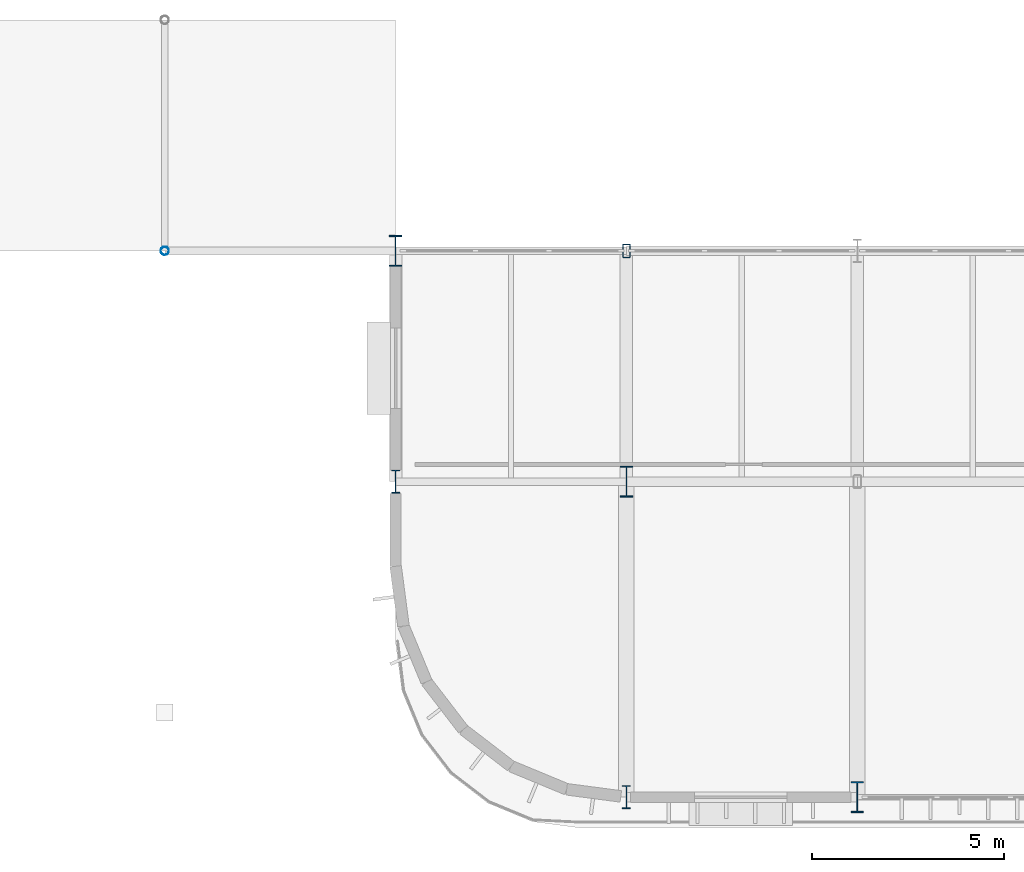
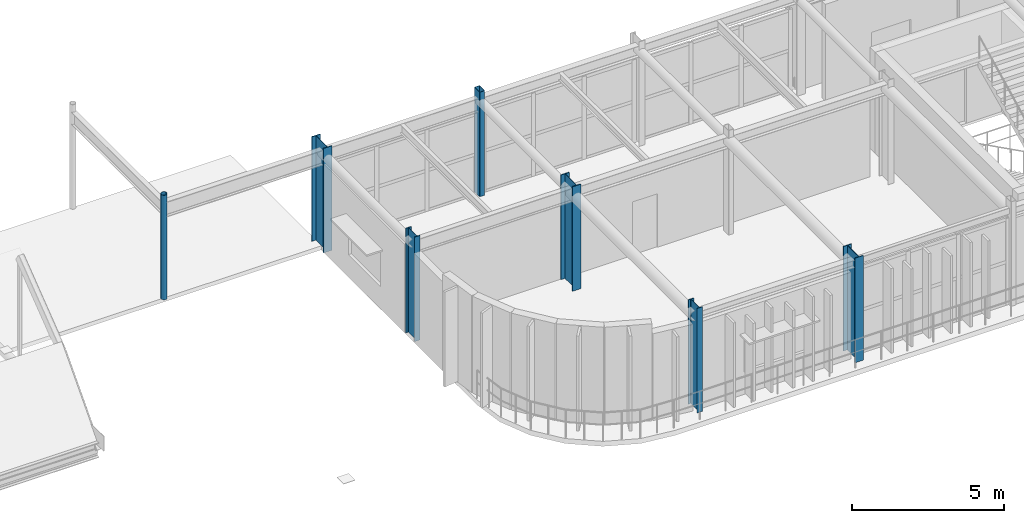
# One storey, part 7 of 116: 7 columns.
"""IFC4 building model written with IfcOpenShell, lengths in metres."""

from ifc_helpers import new_model, si_unit, direction, frame, origin, origin_2d, place, context, subcontext, project, spatial, hollow_rectangle, hollow_circle, i_section, extrude, material, material_profile, profile_set, type_object, element, save


model = new_model("IFC4")

# Units and contexts
model_context = context("Model", 3, precision=1e-05, world=origin(), true_north=direction((0.0, 1.0)))
body_context = subcontext(model_context, "Body", "Model", "MODEL_VIEW")
ifc_project = project(units=[si_unit("LENGTHUNIT", "METRE"), si_unit("AREAUNIT", "SQUARE_METRE"), si_unit("VOLUMEUNIT", "CUBIC_METRE"), si_unit("PLANEANGLEUNIT", "RADIAN"), si_unit("MASSUNIT", "GRAM", prefix="KILO")], contexts=[model_context])

# Site, building, storey
site_placement = place(None, origin())
site = spatial("IfcSite", under=ifc_project, at=site_placement, CompositionType="ELEMENT")
building_placement = place(site_placement, origin())
building = spatial("IfcBuilding", under=site, at=building_placement, Name="Varnakota Square Police Headquarters", CompositionType="ELEMENT")
storey_placement = place(building_placement, frame((0.0, 0.0, 9.300048828125)))
storey = spatial("IfcBuildingStorey", under=building, at=storey_placement, Name="L02", CompositionType="ELEMENT", Elevation=9.300048828125)

# Columns
ifc_material = material(Name="Steel IS 2062 Grade 350", Category="steel")
ifc_material_profile_1 = material_profile(ifc_material, i_section(OverallWidth=0.320068359375, OverallDepth=0.800048828125, WebThickness=0.01611328125, FlangeThickness=0.028076171875, at=origin_2d()), Name="BPG 800x320")
ifc_profile_set_1 = profile_set([ifc_material_profile_1], Name="Steel IS 2062 Grade 350")
column_type_1 = type_object("IfcColumnType", Name="COL-BPG800", PredefinedType="COLUMN", material=ifc_profile_set_1)
for number, where, z_axis, x_axis, name in (
    (1, (108.0, 15.0, 0.0), (0.0, 0.0, 1.0), (1.0, 0.0, 0.0), "Column X1080-Y0150 L02"),
    (2, (114.0, 9.0, 0.0), (0.0, 0.0, 1.0), (1.0, 0.0, 0.0), "Column X1140-Y0090 L02"),
    (3, (120.0, 0.800048828125, 0.0), (0.0, 0.0, 1.0), (1.0, 0.0, 0.0), "Column X1200-Y0008 L02"),
):
    element("IfcColumn", number, at=place(storey_placement, frame(where, z_axis=z_axis, x_axis=x_axis)), inside=storey, type_object=column_type_1, Name=name, PredefinedType="COLUMN", context=body_context, shape_type="SweptSolid", body=[
        extrude(i_section(OverallWidth=0.320068359375, OverallDepth=0.800048828125, WebThickness=0.01611328125, FlangeThickness=0.028076171875, at=origin_2d()), origin(), (0.0, 0.0, 1.0), 4.199951171875),
    ])
ifc_material_profile_2 = material_profile(ifc_material, hollow_circle(Radius=0.109619140625, WallThickness=0.008056640625, at=origin_2d()), Name="CHS 219.1x8.0")
ifc_profile_set_2 = profile_set([ifc_material_profile_2], Name="Steel IS 2062 Grade 350")
column_type_2 = type_object("IfcColumnType", Name="COL-CHS219", PredefinedType="COLUMN", material=ifc_profile_set_2)
column_1_placement = place(storey_placement, frame((102.0, 15.0, 0.0), z_axis=(0.0, 0.0, 1.0), x_axis=(1.0, 0.0, 0.0)))
element("IfcColumn", 4, at=column_1_placement, inside=storey, type_object=column_type_2, Name="Column X1020-Y0150 L02", PredefinedType="COLUMN", context=body_context, shape_type="SweptSolid", body=[
    extrude(hollow_circle(Radius=0.109619140625, WallThickness=0.008056640625, at=origin_2d()), origin(), (0.0, 0.0, 1.0), 4.199951171875),
])
ifc_material_profile_3 = material_profile(ifc_material, i_section(OverallWidth=0.2099609375, OverallDepth=0.60009765625, WebThickness=0.011962890625, FlangeThickness=0.020751953125, FilletRadius=0.02001953125, at=origin_2d()), Name="ISMB 600")
ifc_profile_set_3 = profile_set([ifc_material_profile_3], Name="Steel IS 2062 Grade 350")
column_type_3 = type_object("IfcColumnType", Name="COL-ISMB600", PredefinedType="COLUMN", material=ifc_profile_set_3)
for number, where, z_axis, x_axis, name in (
    (5, (108.0, 9.0, 0.0), (0.0, 0.0, 1.0), (1.0, 0.0, 0.0), "Column X1080-Y0090 L02"),
    (6, (114.0, 0.800048828125, 0.0), (0.0, 0.0, 1.0), (1.0, 0.0, 0.0), "Column X1140-Y0008 L02"),
):
    element("IfcColumn", number, at=place(storey_placement, frame(where, z_axis=z_axis, x_axis=x_axis)), inside=storey, type_object=column_type_3, Name=name, PredefinedType="COLUMN", context=body_context, shape_type="SweptSolid", body=[
        extrude(i_section(OverallWidth=0.2099609375, OverallDepth=0.60009765625, WebThickness=0.011962890625, FlangeThickness=0.020751953125, FilletRadius=0.02001953125, at=origin_2d()), origin(), (0.0, 0.0, 1.0), 4.199951171875),
    ])
ifc_material_profile_4 = material_profile(ifc_material, hollow_rectangle(XDim=0.199951171875, YDim=0.35009765625, WallThickness=0.011962890625, InnerFilletRadius=0.011962890625, OuterFilletRadius=0.02392578125, at=origin_2d()), Name="RHS 350x200x12")
ifc_profile_set_4 = profile_set([ifc_material_profile_4], Name="Steel IS 2062 Grade 350")
column_type_4 = type_object("IfcColumnType", Name="COL-RHS350", PredefinedType="COLUMN", material=ifc_profile_set_4)
column_2_placement = place(storey_placement, frame((114.0, 15.0, 0.0), z_axis=(0.0, 0.0, 1.0), x_axis=(1.0, 0.0, 0.0)))
element("IfcColumn", 7, at=column_2_placement, inside=storey, type_object=column_type_4, Name="Column X1140-Y0150 L02", PredefinedType="COLUMN", context=body_context, shape_type="SweptSolid", body=[
    extrude(hollow_rectangle(XDim=0.199951171875, YDim=0.35009765625, WallThickness=0.011962890625, InnerFilletRadius=0.011962890625, OuterFilletRadius=0.02392578125, at=origin_2d()), origin(), (0.0, 0.0, 1.0), 4.199951171875),
])

save(model, "model.ifc")
